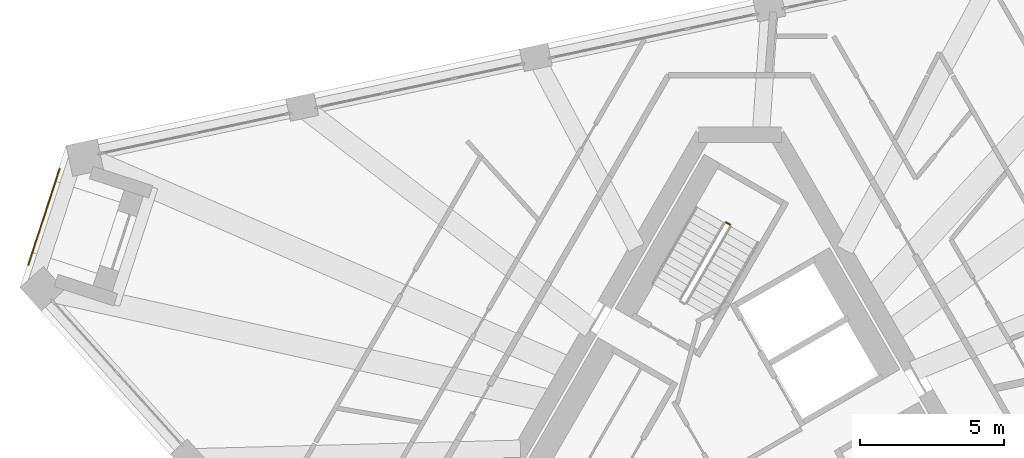
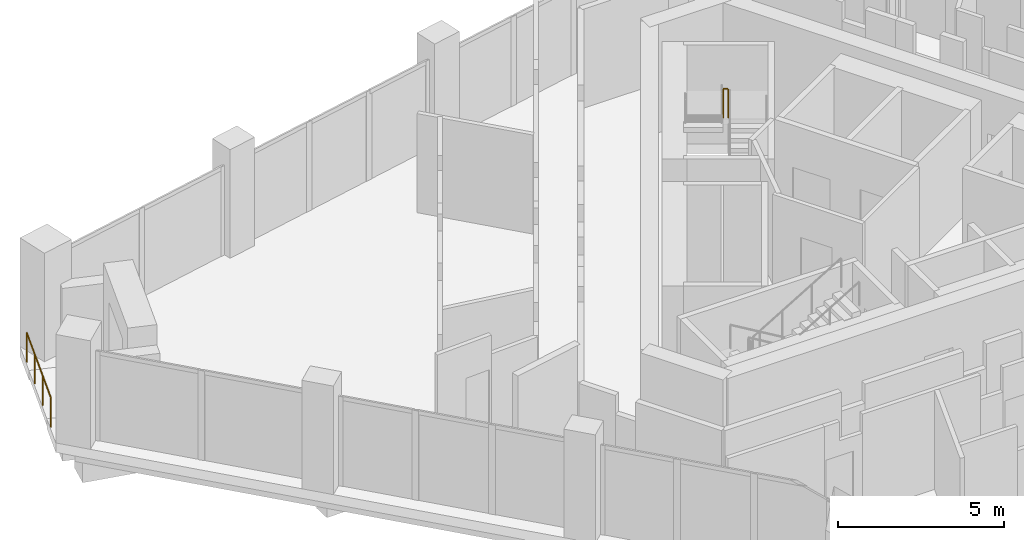
# One storey, part 16 of 17: 2 railings.
"""IFC4 building model written with IfcOpenShell, lengths in metres."""

from ifc_helpers import new_model, si_unit, direction, frame, origin, origin_2d, place, context, subcontext, project, spatial, circle, extrude, material, type_object, element, save


model = new_model("IFC4")

# Units and contexts
model_context = context("Model", 3, precision=1e-05, world=origin(), true_north=direction((0.0, 1.0)))
body_context = subcontext(model_context, "Body", "Model", "MODEL_VIEW")
ifc_project = project(units=[si_unit("LENGTHUNIT", "METRE"), si_unit("AREAUNIT", "SQUARE_METRE"), si_unit("VOLUMEUNIT", "CUBIC_METRE"), si_unit("PLANEANGLEUNIT", "RADIAN"), si_unit("MASSUNIT", "GRAM", prefix="KILO")], contexts=[model_context])

# Site, building, storey
site_placement = place(None, origin())
site = spatial("IfcSite", under=ifc_project, at=site_placement, CompositionType="ELEMENT")
building_placement = place(site_placement, origin())
building = spatial("IfcBuilding", under=site, at=building_placement, Name="Tramontana Tower", CompositionType="ELEMENT")
storey_placement = place(building_placement, frame((0.0, 0.0, 348.39990234375)))
storey = spatial("IfcBuildingStorey", under=building, at=storey_placement, Name="L80", CompositionType="ELEMENT", Elevation=348.39990234375)

# Railings
ifc_material_1 = material(Name="Laminated glass balustrade", Category="glass")
railing_type_1 = type_object("IfcRailingType", Name="GD1 Loggia glass balustrade 1100", PredefinedType="BALUSTRADE", material=ifc_material_1)
railing_1_placement = place(storey_placement, frame((-24.76416015625, 6.206298828125, 0.0)))
element("IfcRailing", 1, at=railing_1_placement, inside=storey, type_object=railing_type_1, Name="Corner loggia balustrade L80 K80", PredefinedType="BALUSTRADE", context=body_context, shape_type="SweptSolid", body=[
    extrude(circle(Radius=0.02392578125, at=origin_2d()), frame((0.0, 0.0, 1.076171875), z_axis=(0.309019824916, 0.951055596592, 0.0), x_axis=(-0.951055596592, 0.309019824916, 0.0)), (0.0, 0.0, 1.0), 3.5),
    extrude(circle(Radius=0.02099609375, at=origin_2d()), origin(), (0.0, 0.0, 1.0), 1.052001953125),
    extrude(circle(Radius=0.02099609375, at=origin_2d()), frame((0.360595703125, 1.109619140625, 0.0)), (0.0, 0.0, 1.0), 1.052001953125),
    extrude(circle(Radius=0.02099609375, at=origin_2d()), frame((0.720947265625, 2.218994140625, 0.0)), (0.0, 0.0, 1.0), 1.052001953125),
    extrude(circle(Radius=0.02099609375, at=origin_2d()), frame((1.08154296875, 3.32861328125, 0.0)), (0.0, 0.0, 1.0), 1.052001953125),
])
ifc_material_2 = material(Name="Painted steel", Category="steel")
railing_type_2 = type_object("IfcRailingType", Name="STAIR GUARD 1100", PredefinedType="GUARDRAIL", material=ifc_material_2)
railing_2_placement = place(storey_placement, frame((-0.345703125, 7.601318359375, 2.0)))
element("IfcRailing", 2, at=railing_2_placement, inside=storey, type_object=railing_type_2, Name="L80 ST1 stair guard 3", PredefinedType="GUARDRAIL", context=body_context, shape_type="SweptSolid", body=[
    extrude(circle(Radius=0.02392578125, at=origin_2d()), frame((0.0, 0.0, 1.076171875), z_axis=(-0.866131372301, 0.499816412211, 0.0), x_axis=(-0.499816412211, -0.866131372301, 0.0)), (0.0, 0.0, 1.0), 0.14990234375),
    extrude(circle(Radius=0.02099609375, at=origin_2d()), origin(), (0.0, 0.0, 1.0), 1.052001953125),
    extrude(circle(Radius=0.02099609375, at=origin_2d()), frame((-0.1298828125, 0.074951171875, 0.0)), (0.0, 0.0, 1.0), 1.052001953125),
])

save(model, "model.ifc")
